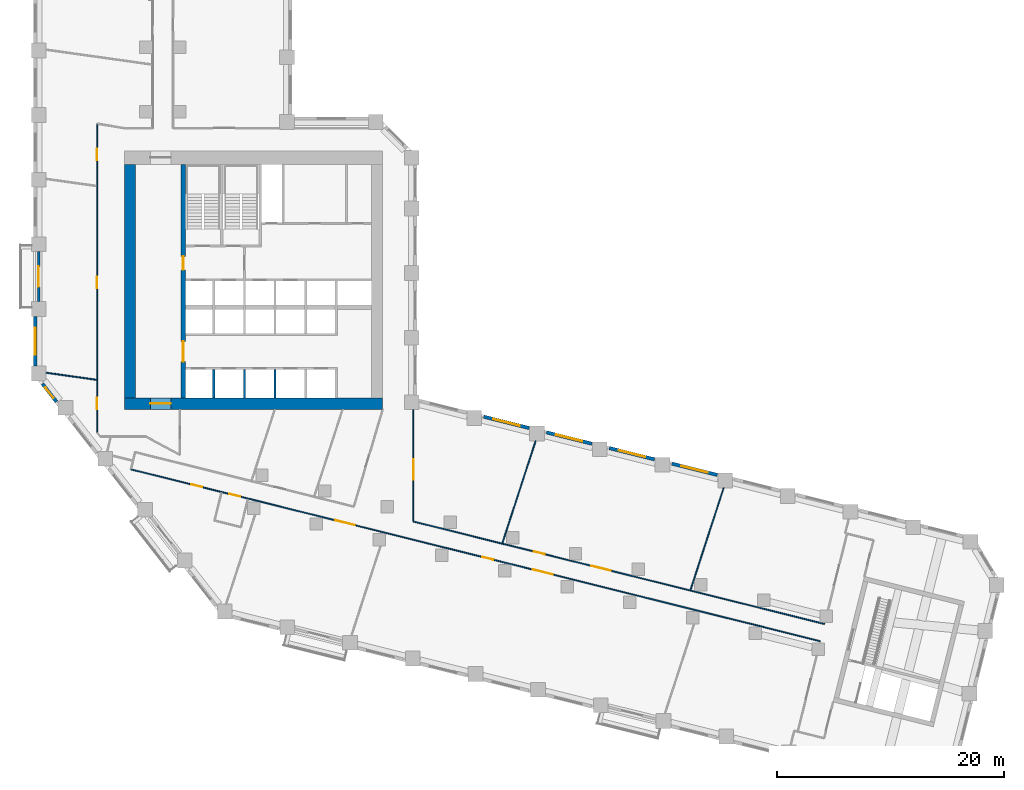
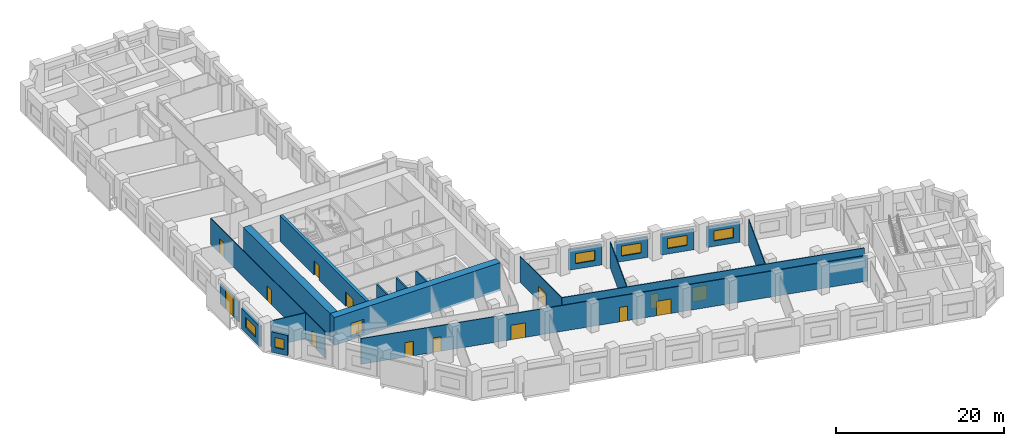
# One storey, part 4 of 11: 20 walls, 15 doors, 6 windows, 21 openings.
"""IFC4 building model written with IfcOpenShell, lengths in metres."""

from ifc_helpers import new_model, si_unit, direction, frame, frame_2d, origin, place, context, subcontext, project, spatial, rectangle, extrude, material, layer, layer_set, type_object, element, fill, save


model = new_model("IFC4")

# Units and contexts
model_context = context("Model", 3, precision=1e-05, world=origin(), true_north=direction((0.0, 1.0)))
body_context = subcontext(model_context, "Body", "Model", "MODEL_VIEW")
ifc_project = project(units=[si_unit("LENGTHUNIT", "METRE"), si_unit("AREAUNIT", "SQUARE_METRE"), si_unit("VOLUMEUNIT", "CUBIC_METRE"), si_unit("PLANEANGLEUNIT", "RADIAN"), si_unit("MASSUNIT", "GRAM", prefix="KILO")], contexts=[model_context])

# Site, building, storey
site_placement = place(None, origin())
site = spatial("IfcSite", under=ifc_project, at=site_placement, CompositionType="ELEMENT")
building_placement = place(site_placement, origin())
building = spatial("IfcBuilding", under=site, at=building_placement, Name="Meshkara Civic Tower", CompositionType="ELEMENT")
storey_placement = place(building_placement, frame((0.0, 0.0, 151.800048828125)))
storey = spatial("IfcBuildingStorey", under=building, at=storey_placement, Name="L34", CompositionType="ELEMENT", Elevation=151.800048828125)

# Wall, opening, door
ifc_material_1 = material(Name="Concrete C70", Category="concrete")
ifc_layer_1 = layer(ifc_material_1, 1.0)
ifc_layer_set_1 = layer_set([ifc_layer_1], Name="Core ring wall 1000 C70")
wall_type_1 = type_object("IfcWallType", Name="Core ring wall 1000 C70", PredefinedType="SHEAR", material=ifc_layer_set_1)
wall_1_placement = place(storey_placement, frame((8.0, 14.60009765625, -0.300048828125), z_axis=(0.0, 0.0, 1.0), x_axis=(1.0, 0.0, 0.0)))
wall_1 = element("IfcWall", 1, at=wall_1_placement, inside=storey, type_object=wall_type_1, Name="L34-C001", PredefinedType="SHEAR", context=body_context, shape_type="SweptSolid", body=[
    extrude(rectangle(XDim=22.800048828125, YDim=1.0, at=frame_2d((11.39990234375, 0.0))), origin(), (0.0, 0.0, 1.0), 4.050048828125),
])
opening_1_placement = place(wall_1_placement, frame((2.300048828125, 0.0, 0.300048828125)))
opening_1 = element("IfcOpeningElement", 2, at=opening_1_placement, cuts=wall_1, Name="Opening L34-K019", PredefinedType="OPENING", context=body_context, shape_type="SweptSolid", body=[
    extrude(rectangle(XDim=1.800048828125, YDim=2.10009765625, at=frame_2d((0.89990234375, 1.050048828125))), frame((0.0, 0.510009765625, 0.0), z_axis=(0.0, -1.0, 0.0), x_axis=(1.0, 0.0, 0.0)), (0.0, 0.0, 1.0), 1.02001953125),
])
ifc_material_2 = material(Name="Fire-rated door leaf in steel frame", Category="steel")
door_type_1 = type_object("IfcDoorType", Name="Core double door 1800 EI 60", OperationType="DOUBLE_DOOR_SINGLE_SWING", PredefinedType="DOOR", material=ifc_material_2)
door_1_placement = place(opening_1_placement, origin())
door_1 = element("IfcDoor", 3, at=door_1_placement, inside=storey, type_object=door_type_1, Name="L34-K019", OperationType="DOUBLE_DOOR_SINGLE_SWING", OverallHeight=2.10009765625, OverallWidth=1.800048828125, PredefinedType="DOOR", context=body_context, shape_type="SweptSolid", body=[
    extrude(rectangle(XDim=1.800048828125, YDim=2.10009765625, at=frame_2d((0.89990234375, 1.050048828125))), frame((0.0, 0.02490234375, 0.0), z_axis=(0.0, -1.0, 0.0), x_axis=(1.0, 0.0, 0.0)), (0.0, 0.0, 1.0), 0.050048828125),
])
fill(opening_1, door_1)

# Wall
wall_2_placement = place(storey_placement, frame((8.5, 15.10009765625, -0.300048828125), z_axis=(0.0, 0.0, 1.0), x_axis=(0.0, 1.0, 0.0)))
element("IfcWall", 4, at=wall_2_placement, inside=storey, type_object=wall_type_1, Name="L34-C003", PredefinedType="SHEAR", context=body_context, shape_type="SweptSolid", body=[
    extrude(rectangle(XDim=20.599853515625, YDim=1.0, at=frame_2d((10.2998046875, 0.0))), origin(), (0.0, 0.0, 1.0), 4.050048828125),
])

# Wall, openings, doors
ifc_material_3 = material(Name="Concrete C70", Category="concrete")
ifc_layer_2 = layer(ifc_material_3, 0.39990234375)
ifc_layer_set_2 = layer_set([ifc_layer_2], Name="Core shear wall 400 C70")
wall_type_2 = type_object("IfcWallType", Name="Core shear wall 400 C70", PredefinedType="SHEAR", material=ifc_layer_set_2)
wall_3_placement = place(storey_placement, frame((13.199951171875, 15.10009765625, 0.0), z_axis=(0.0, 0.0, 1.0), x_axis=(0.0, 1.0, 0.0)))
wall_3 = element("IfcWall", 5, at=wall_3_placement, inside=storey, type_object=wall_type_2, Name="L34-C011", PredefinedType="SHEAR", context=body_context, shape_type="SweptSolid", body=[
    extrude(rectangle(XDim=20.599853515625, YDim=0.39990234375, at=frame_2d((10.2998046875, 0.0))), origin(), (0.0, 0.0, 1.0), 3.75),
])
opening_2_placement = place(wall_3_placement, frame((3.199951171875, 0.0, 0.0)))
opening_2 = element("IfcOpeningElement", 6, at=opening_2_placement, cuts=wall_3, Name="Opening L34-K015", PredefinedType="OPENING", context=body_context, shape_type="SweptSolid", body=[
    extrude(rectangle(XDim=1.800048828125, YDim=2.10009765625, at=frame_2d((0.89990234375, 1.050048828125))), frame((0.0, 0.2099609375, 0.0), z_axis=(0.0, -1.0, 0.0), x_axis=(1.0, 0.0, 0.0)), (0.0, 0.0, 1.0), 0.419921875),
])
opening_3_placement = place(wall_3_placement, frame((11.300048828125, 0.0, 0.0)))
opening_3 = element("IfcOpeningElement", 7, at=opening_3_placement, cuts=wall_3, Name="Opening L34-K016", PredefinedType="OPENING", context=body_context, shape_type="SweptSolid", body=[
    extrude(rectangle(XDim=1.199951171875, YDim=2.10009765625, at=frame_2d((0.60009765625, 1.050048828125))), frame((0.0, 0.2099609375, 0.0), z_axis=(0.0, -1.0, 0.0), x_axis=(1.0, 0.0, 0.0)), (0.0, 0.0, 1.0), 0.419921875),
])
door_2_placement = place(opening_2_placement, origin())
door_2 = element("IfcDoor", 8, at=door_2_placement, inside=storey, type_object=door_type_1, Name="L34-K015", OperationType="DOUBLE_DOOR_SINGLE_SWING", OverallHeight=2.10009765625, OverallWidth=1.800048828125, PredefinedType="DOOR", context=body_context, shape_type="SweptSolid", body=[
    extrude(rectangle(XDim=1.800048828125, YDim=2.10009765625, at=frame_2d((0.89990234375, 1.050048828125))), frame((0.0, 0.02490234375, 0.0), z_axis=(0.0, -1.0, 0.0), x_axis=(1.0, 0.0, 0.0)), (0.0, 0.0, 1.0), 0.050048828125),
])
fill(opening_2, door_2)
ifc_material_4 = material(Name="Fire-rated door leaf in steel frame", Category="steel")
door_type_2 = type_object("IfcDoorType", Name="Fire-fighting lobby door 1200 EI 120", OperationType="SINGLE_SWING_LEFT", PredefinedType="DOOR", material=ifc_material_4)
door_3_placement = place(opening_3_placement, origin())
door_3 = element("IfcDoor", 9, at=door_3_placement, inside=storey, type_object=door_type_2, Name="L34-K016", OperationType="SINGLE_SWING_LEFT", OverallHeight=2.10009765625, OverallWidth=1.199951171875, PredefinedType="DOOR", context=body_context, shape_type="SweptSolid", body=[
    extrude(rectangle(XDim=1.199951171875, YDim=2.10009765625, at=frame_2d((0.60009765625, 1.050048828125))), frame((0.0, 0.02490234375, 0.0), z_axis=(0.0, -1.0, 0.0), x_axis=(1.0, 0.0, 0.0)), (0.0, 0.0, 1.0), 0.050048828125),
])
fill(opening_3, door_3)

ifc_material_5 = material(Name="Corridor wall 100")
ifc_layer_3 = layer(ifc_material_5, 0.10009765625)
ifc_layer_set_3 = layer_set([ifc_layer_3], Name="Corridor wall 100")
wall_type_3 = type_object("IfcWallType", Name="Corridor wall 100", PredefinedType="PARTITIONING", material=ifc_layer_set_3)
wall_4_placement = place(storey_placement, frame((5.60009765625, 12.0439453125, 0.0), z_axis=(0.0, 0.0, 1.0), x_axis=(0.0, 1.0, 0.0)))
wall_4 = element("IfcWall", 10, at=wall_4_placement, inside=storey, type_object=wall_type_3, Name="L34-W003", PredefinedType="PARTITIONING", context=body_context, shape_type="SweptSolid", body=[
    extrude(rectangle(XDim=27.256103515625, YDim=0.10009765625, at=frame_2d((13.6279296875, 0.0))), origin(), (0.0, 0.0, 1.0), 3.75),
])
opening_4_placement = place(wall_4_placement, frame((2.080078125, 0.0, 0.0)))
opening_4 = element("IfcOpeningElement", 11, at=opening_4_placement, cuts=wall_4, Name="Opening L34-D015", PredefinedType="OPENING", context=body_context, shape_type="SweptSolid", body=[
    extrude(rectangle(XDim=1.0, YDim=2.10009765625, at=frame_2d((0.5, 1.050048828125))), frame((0.0, 0.06005859375, 0.0), z_axis=(0.0, -1.0, 0.0), x_axis=(1.0, 0.0, 0.0)), (0.0, 0.0, 1.0), 0.1201171875),
])
opening_5_placement = place(wall_4_placement, frame((12.72900390625, 0.0, 0.0)))
opening_5 = element("IfcOpeningElement", 12, at=opening_5_placement, cuts=wall_4, Name="Opening L34-D017", PredefinedType="OPENING", context=body_context, shape_type="SweptSolid", body=[
    extrude(rectangle(XDim=1.0, YDim=2.10009765625, at=frame_2d((0.5, 1.050048828125))), frame((0.0, 0.06005859375, 0.0), z_axis=(0.0, -1.0, 0.0), x_axis=(1.0, 0.0, 0.0)), (0.0, 0.0, 1.0), 0.1201171875),
])
opening_6_placement = place(wall_4_placement, frame((24.029052734375, 0.0, 0.0)))
opening_6 = element("IfcOpeningElement", 13, at=opening_6_placement, cuts=wall_4, Name="Opening L34-D018", PredefinedType="OPENING", context=body_context, shape_type="SweptSolid", body=[
    extrude(rectangle(XDim=1.0, YDim=2.10009765625, at=frame_2d((0.5, 1.050048828125))), frame((0.0, 0.06005859375, 0.0), z_axis=(0.0, -1.0, 0.0), x_axis=(1.0, 0.0, 0.0)), (0.0, 0.0, 1.0), 0.1201171875),
])
ifc_material_6 = material(Name="Door 1000 x 2100")
door_type_3 = type_object("IfcDoorType", Name="Door 1000 x 2100", OperationType="SINGLE_SWING_LEFT", PredefinedType="DOOR", material=ifc_material_6)
door_4_placement = place(opening_4_placement, origin())
door_4 = element("IfcDoor", 14, at=door_4_placement, inside=storey, type_object=door_type_3, Name="L34-D015", OperationType="SINGLE_SWING_RIGHT", OverallHeight=2.10009765625, OverallWidth=1.0, PredefinedType="DOOR", context=body_context, shape_type="SweptSolid", body=[
    extrude(rectangle(XDim=1.0, YDim=2.10009765625, at=frame_2d((0.5, 1.050048828125))), frame((0.0, 0.02490234375, 0.0), z_axis=(0.0, -1.0, 0.0), x_axis=(1.0, 0.0, 0.0)), (0.0, 0.0, 1.0), 0.050048828125),
])
fill(opening_4, door_4)
door_5_placement = place(opening_5_placement, origin())
door_5 = element("IfcDoor", 15, at=door_5_placement, inside=storey, type_object=door_type_3, Name="L34-D017", OperationType="SINGLE_SWING_RIGHT", OverallHeight=2.10009765625, OverallWidth=1.0, PredefinedType="DOOR", context=body_context, shape_type="SweptSolid", body=[
    extrude(rectangle(XDim=1.0, YDim=2.10009765625, at=frame_2d((0.5, 1.050048828125))), frame((0.0, 0.02490234375, 0.0), z_axis=(0.0, -1.0, 0.0), x_axis=(1.0, 0.0, 0.0)), (0.0, 0.0, 1.0), 0.050048828125),
])
fill(opening_5, door_5)
door_6_placement = place(opening_6_placement, origin())
door_6 = element("IfcDoor", 16, at=door_6_placement, inside=storey, type_object=door_type_3, Name="L34-D018", OperationType="SINGLE_SWING_RIGHT", OverallHeight=2.10009765625, OverallWidth=1.0, PredefinedType="DOOR", context=body_context, shape_type="SweptSolid", body=[
    extrude(rectangle(XDim=1.0, YDim=2.10009765625, at=frame_2d((0.5, 1.050048828125))), frame((0.0, 0.02490234375, 0.0), z_axis=(0.0, -1.0, 0.0), x_axis=(1.0, 0.0, 0.0)), (0.0, 0.0, 1.0), 0.050048828125),
])
fill(opening_6, door_6)

wall_5_placement = place(storey_placement, frame((8.5791015625, 8.802978515625, 0.0), z_axis=(0.0, 0.0, 1.0), x_axis=(0.970298569476, -0.241910491863, 0.0)))
wall_5 = element("IfcWall", 17, at=wall_5_placement, inside=storey, type_object=wall_type_3, Name="L34-W008", PredefinedType="PARTITIONING", context=body_context, shape_type="SweptSolid", body=[
    extrude(rectangle(XDim=62.675537109375, YDim=0.10009765625, at=frame_2d((31.337890625, 0.0))), origin(), (0.0, 0.0, 1.0), 3.75),
])
opening_7_placement = place(wall_5_placement, frame((36.56591796875, 0.0, 0.0)))
opening_7 = element("IfcOpeningElement", 18, at=opening_7_placement, cuts=wall_5, Name="Opening L34-D003", PredefinedType="OPENING", context=body_context, shape_type="SweptSolid", body=[
    extrude(rectangle(XDim=1.800048828125, YDim=2.10009765625, at=frame_2d((0.89990234375, 1.050048828125))), frame((0.0, 0.06005859375, 0.0), z_axis=(0.0, -1.0, 0.0), x_axis=(1.0, 0.0, 0.0)), (0.0, 0.0, 1.0), 0.1201171875),
])
opening_8_placement = place(wall_5_placement, frame((18.56689453125, 0.0, 0.0)))
opening_8 = element("IfcOpeningElement", 19, at=opening_8_placement, cuts=wall_5, Name="Opening L34-D005", PredefinedType="OPENING", context=body_context, shape_type="SweptSolid", body=[
    extrude(rectangle(XDim=1.800048828125, YDim=2.10009765625, at=frame_2d((0.89990234375, 1.050048828125))), frame((0.0, 0.06005859375, 0.0), z_axis=(0.0, -1.0, 0.0), x_axis=(1.0, 0.0, 0.0)), (0.0, 0.0, 1.0), 0.1201171875),
])
opening_9_placement = place(wall_5_placement, frame((31.966064453125, 0.0, 0.0)))
opening_9 = element("IfcOpeningElement", 20, at=opening_9_placement, cuts=wall_5, Name="Opening L34-D006", PredefinedType="OPENING", context=body_context, shape_type="SweptSolid", body=[
    extrude(rectangle(XDim=1.0, YDim=2.10009765625, at=frame_2d((0.5, 1.050048828125))), frame((0.0, 0.06005859375, 0.0), z_axis=(0.0, -1.0, 0.0), x_axis=(1.0, 0.0, 0.0)), (0.0, 0.0, 1.0), 0.1201171875),
])
opening_10_placement = place(wall_5_placement, frame((5.47998046875, 0.0, 0.0)))
opening_10 = element("IfcOpeningElement", 21, at=opening_10_placement, cuts=wall_5, Name="Opening L34-D010", PredefinedType="OPENING", context=body_context, shape_type="SweptSolid", body=[
    extrude(rectangle(XDim=1.0, YDim=2.10009765625, at=frame_2d((0.5, 1.050048828125))), frame((0.0, 0.06005859375, 0.0), z_axis=(0.0, -1.0, 0.0), x_axis=(1.0, 0.0, 0.0)), (0.0, 0.0, 1.0), 0.1201171875),
])
opening_11_placement = place(wall_5_placement, frame((8.929931640625, 0.0, 0.0)))
opening_11 = element("IfcOpeningElement", 22, at=opening_11_placement, cuts=wall_5, Name="Opening L34-D011", PredefinedType="OPENING", context=body_context, shape_type="SweptSolid", body=[
    extrude(rectangle(XDim=1.0, YDim=2.10009765625, at=frame_2d((0.5, 1.050048828125))), frame((0.0, 0.06005859375, 0.0), z_axis=(0.0, -1.0, 0.0), x_axis=(1.0, 0.0, 0.0)), (0.0, 0.0, 1.0), 0.1201171875),
])
door_7_placement = place(opening_9_placement, origin())
door_7 = element("IfcDoor", 23, at=door_7_placement, inside=storey, type_object=door_type_3, Name="L34-D006", OperationType="SINGLE_SWING_RIGHT", OverallHeight=2.10009765625, OverallWidth=1.0, PredefinedType="DOOR", context=body_context, shape_type="SweptSolid", body=[
    extrude(rectangle(XDim=1.0, YDim=2.10009765625, at=frame_2d((0.5, 1.050048828125))), frame((0.0, 0.02490234375, 0.0), z_axis=(0.0, -1.0, 0.0), x_axis=(1.0, 0.0, 0.0)), (0.0, 0.0, 1.0), 0.050048828125),
])
fill(opening_9, door_7)
door_8_placement = place(opening_10_placement, origin())
door_8 = element("IfcDoor", 24, at=door_8_placement, inside=storey, type_object=door_type_3, Name="L34-D010", OperationType="SINGLE_SWING_LEFT", OverallHeight=2.10009765625, OverallWidth=1.0, PredefinedType="DOOR", context=body_context, shape_type="SweptSolid", body=[
    extrude(rectangle(XDim=1.0, YDim=2.10009765625, at=frame_2d((0.5, 1.050048828125))), frame((0.0, 0.02490234375, 0.0), z_axis=(0.0, -1.0, 0.0), x_axis=(1.0, 0.0, 0.0)), (0.0, 0.0, 1.0), 0.050048828125),
])
fill(opening_10, door_8)
door_9_placement = place(opening_11_placement, origin())
door_9 = element("IfcDoor", 25, at=door_9_placement, inside=storey, type_object=door_type_3, Name="L34-D011", OperationType="SINGLE_SWING_RIGHT", OverallHeight=2.10009765625, OverallWidth=1.0, PredefinedType="DOOR", context=body_context, shape_type="SweptSolid", body=[
    extrude(rectangle(XDim=1.0, YDim=2.10009765625, at=frame_2d((0.5, 1.050048828125))), frame((0.0, 0.02490234375, 0.0), z_axis=(0.0, -1.0, 0.0), x_axis=(1.0, 0.0, 0.0)), (0.0, 0.0, 1.0), 0.050048828125),
])
fill(opening_11, door_9)
ifc_material_7 = material(Name="Door pair 1800 x 2100")
door_type_4 = type_object("IfcDoorType", Name="Door pair 1800 x 2100", OperationType="SINGLE_SWING_LEFT", PredefinedType="DOOR", material=ifc_material_7)
door_10_placement = place(opening_7_placement, origin())
door_10 = element("IfcDoor", 26, at=door_10_placement, inside=storey, type_object=door_type_4, Name="L34-D003", OperationType="DOUBLE_DOOR_SINGLE_SWING", OverallHeight=2.10009765625, OverallWidth=1.800048828125, PredefinedType="DOOR", context=body_context, shape_type="SweptSolid", body=[
    extrude(rectangle(XDim=1.800048828125, YDim=2.10009765625, at=frame_2d((0.89990234375, 1.050048828125))), frame((0.0, 0.02490234375, 0.0), z_axis=(0.0, -1.0, 0.0), x_axis=(1.0, 0.0, 0.0)), (0.0, 0.0, 1.0), 0.050048828125),
])
fill(opening_7, door_10)
door_11_placement = place(opening_8_placement, origin())
door_11 = element("IfcDoor", 27, at=door_11_placement, inside=storey, type_object=door_type_4, Name="L34-D005", OperationType="DOUBLE_DOOR_SINGLE_SWING", OverallHeight=2.10009765625, OverallWidth=1.800048828125, PredefinedType="DOOR", context=body_context, shape_type="SweptSolid", body=[
    extrude(rectangle(XDim=1.800048828125, YDim=2.10009765625, at=frame_2d((0.89990234375, 1.050048828125))), frame((0.0, 0.02490234375, 0.0), z_axis=(0.0, -1.0, 0.0), x_axis=(1.0, 0.0, 0.0)), (0.0, 0.0, 1.0), 0.050048828125),
])
fill(opening_8, door_11)

wall_6_placement = place(storey_placement, frame((33.5, 4.2041015625, 0.0), z_axis=(0.0, 0.0, 1.0), x_axis=(0.97029674434, -0.241917812333, 0.0)))
wall_6 = element("IfcWall", 28, at=wall_6_placement, inside=storey, type_object=wall_type_3, Name="L34-W022", PredefinedType="PARTITIONING", context=body_context, shape_type="SweptSolid", body=[
    extrude(rectangle(XDim=37.38134765625, YDim=0.10009765625, at=frame_2d((18.690673828125, 0.0))), origin(), (0.0, 0.0, 1.0), 3.75),
])
opening_12_placement = place(wall_6_placement, frame((10.9609375, 0.0, 0.0)))
opening_12 = element("IfcOpeningElement", 29, at=opening_12_placement, cuts=wall_6, Name="Opening L34-D007", PredefinedType="OPENING", context=body_context, shape_type="SweptSolid", body=[
    extrude(rectangle(XDim=1.0, YDim=2.10009765625, at=frame_2d((0.5, 1.050048828125))), frame((0.0, 0.06005859375, 0.0), z_axis=(0.0, -1.0, 0.0), x_axis=(1.0, 0.0, 0.0)), (0.0, 0.0, 1.0), 0.1201171875),
])
opening_13_placement = place(wall_6_placement, frame((16.160888671875, 0.0, 0.0)))
opening_13 = element("IfcOpeningElement", 30, at=opening_13_placement, cuts=wall_6, Name="Opening L34-D008", PredefinedType="OPENING", context=body_context, shape_type="SweptSolid", body=[
    extrude(rectangle(XDim=1.800048828125, YDim=2.10009765625, at=frame_2d((0.89990234375, 1.050048828125))), frame((0.0, 0.06005859375, 0.0), z_axis=(0.0, -1.0, 0.0), x_axis=(1.0, 0.0, 0.0)), (0.0, 0.0, 1.0), 0.1201171875),
])
door_12_placement = place(opening_12_placement, origin())
door_12 = element("IfcDoor", 31, at=door_12_placement, inside=storey, type_object=door_type_3, Name="L34-D007", OperationType="SINGLE_SWING_LEFT", OverallHeight=2.10009765625, OverallWidth=1.0, PredefinedType="DOOR", context=body_context, shape_type="SweptSolid", body=[
    extrude(rectangle(XDim=1.0, YDim=2.10009765625, at=frame_2d((0.5, 1.050048828125))), frame((0.0, 0.02490234375, 0.0), z_axis=(0.0, -1.0, 0.0), x_axis=(1.0, 0.0, 0.0)), (0.0, 0.0, 1.0), 0.050048828125),
])
fill(opening_12, door_12)
door_13_placement = place(opening_13_placement, origin())
door_13 = element("IfcDoor", 32, at=door_13_placement, inside=storey, type_object=door_type_4, Name="L34-D008", OperationType="DOUBLE_DOOR_SINGLE_SWING", OverallHeight=2.10009765625, OverallWidth=1.800048828125, PredefinedType="DOOR", context=body_context, shape_type="SweptSolid", body=[
    extrude(rectangle(XDim=1.800048828125, YDim=2.10009765625, at=frame_2d((0.89990234375, 1.050048828125))), frame((0.0, 0.02490234375, 0.0), z_axis=(0.0, -1.0, 0.0), x_axis=(1.0, 0.0, 0.0)), (0.0, 0.0, 1.0), 0.050048828125),
])
fill(opening_13, door_13)

# Wall, opening, door
wall_7_placement = place(storey_placement, frame((33.5, 4.2041015625, 0.0), z_axis=(0.0, 0.0, 1.0), x_axis=(0.0, 1.0, 0.0)))
wall_7 = element("IfcWall", 33, at=wall_7_placement, inside=storey, type_object=wall_type_3, Name="L34-W023", PredefinedType="PARTITIONING", context=body_context, shape_type="SweptSolid", body=[
    extrude(rectangle(XDim=9.864990234375, YDim=0.10009765625, at=frame_2d((4.9326171875, 0.0))), origin(), (0.0, 0.0, 1.0), 3.75),
])
opening_14_placement = place(wall_7_placement, frame((3.679931640625, 0.0, 0.0)))
opening_14 = element("IfcOpeningElement", 34, at=opening_14_placement, cuts=wall_7, Name="Opening L34-D014", PredefinedType="OPENING", context=body_context, shape_type="SweptSolid", body=[
    extrude(rectangle(XDim=1.800048828125, YDim=2.10009765625, at=frame_2d((0.89990234375, 1.050048828125))), frame((0.0, 0.06005859375, 0.0), z_axis=(0.0, -1.0, 0.0), x_axis=(1.0, 0.0, 0.0)), (0.0, 0.0, 1.0), 0.1201171875),
])
door_14_placement = place(opening_14_placement, origin())
door_14 = element("IfcDoor", 35, at=door_14_placement, inside=storey, type_object=door_type_4, Name="L34-D014", OperationType="DOUBLE_DOOR_SINGLE_SWING", OverallHeight=2.10009765625, OverallWidth=1.800048828125, PredefinedType="DOOR", context=body_context, shape_type="SweptSolid", body=[
    extrude(rectangle(XDim=1.800048828125, YDim=2.10009765625, at=frame_2d((0.89990234375, 1.050048828125))), frame((0.0, 0.02490234375, 0.0), z_axis=(0.0, -1.0, 0.0), x_axis=(1.0, 0.0, 0.0)), (0.0, 0.0, 1.0), 0.050048828125),
])
fill(opening_14, door_14)

# Wall, opening, window
ifc_material_8 = material(Name="Insulated infill panel with bronze anodised aluminium cladding", Category="aluminium")
ifc_layer_4 = layer(ifc_material_8, 0.300048828125)
ifc_layer_set_4 = layer_set([ifc_layer_4], Name="EXTERNAL INFILL WALL 300")
wall_type_4 = type_object("IfcWallType", Name="EXTERNAL INFILL WALL 300", PredefinedType="SOLIDWALL", material=ifc_layer_set_4)
wall_8_placement = place(storey_placement, frame((60.31103515625, 8.305908203125, 0.0), z_axis=(0.0, 0.0, 1.0), x_axis=(-0.970267747908, 0.242034083076, 0.0)))
wall_8 = element("IfcWall", 36, at=wall_8_placement, inside=storey, type_object=wall_type_4, Name="External wall", PredefinedType="SOLIDWALL", context=body_context, shape_type="SweptSolid", body=[
    extrude(rectangle(XDim=4.12353515625, YDim=0.300048828125, at=frame_2d((2.061767578125, 0.0))), origin(), (0.0, 0.0, 1.0), 2.949951171875),
])
opening_15_placement = place(wall_8_placement, frame((0.862060546875, 0.0, 0.800048828125)))
opening_15 = element("IfcOpeningElement", 37, at=opening_15_placement, cuts=wall_8, Name="Opening W8", PredefinedType="OPENING", context=body_context, shape_type="SweptSolid", body=[
    extrude(rectangle(XDim=2.39990234375, YDim=1.449951171875, at=frame_2d((1.199951171875, 0.72509765625))), frame((0.0, 0.159912109375, 0.0), z_axis=(0.0, -1.0, 0.0), x_axis=(1.0, 0.0, 0.0)), (0.0, 0.0, 1.0), 0.320068359375),
])
ifc_material_9 = material(Name="Tinted double glazing", Category="glass")
window_type_1 = type_object("IfcWindowType", Name="WINDOW 2400x1450", PartitioningType="DOUBLE_PANEL_VERTICAL", PredefinedType="WINDOW", material=ifc_material_9)
window_1_placement = place(opening_15_placement, origin())
window_1 = element("IfcWindow", 38, at=window_1_placement, inside=storey, type_object=window_type_1, Name="Window", OverallHeight=1.449951171875, OverallWidth=2.39990234375, PartitioningType="DOUBLE_PANEL_VERTICAL", PredefinedType="WINDOW", context=body_context, shape_type="SweptSolid", body=[
    extrude(rectangle(XDim=2.39990234375, YDim=1.449951171875, at=frame_2d((1.199951171875, 0.72509765625))), frame((0.0, 0.030029296875, 0.0), z_axis=(0.0, -1.0, 0.0), x_axis=(1.0, 0.0, 0.0)), (0.0, 0.0, 1.0), 0.06005859375),
])
fill(opening_15, window_1)

wall_9_placement = place(storey_placement, frame((54.781005859375, 9.68505859375, 0.0), z_axis=(0.0, 0.0, 1.0), x_axis=(-0.970281616392, 0.241978480223, 0.0)))
wall_9 = element("IfcWall", 39, at=wall_9_placement, inside=storey, type_object=wall_type_4, Name="External wall", PredefinedType="SOLIDWALL", context=body_context, shape_type="SweptSolid", body=[
    extrude(rectangle(XDim=4.12451171875, YDim=0.300048828125, at=frame_2d((2.062255859375, 0.0))), origin(), (0.0, 0.0, 1.0), 2.949951171875),
])
opening_16_placement = place(wall_9_placement, frame((0.862060546875, 0.0, 0.800048828125)))
opening_16 = element("IfcOpeningElement", 40, at=opening_16_placement, cuts=wall_9, Name="Opening W8", PredefinedType="OPENING", context=body_context, shape_type="SweptSolid", body=[
    extrude(rectangle(XDim=2.39990234375, YDim=1.449951171875, at=frame_2d((1.199951171875, 0.72509765625))), frame((0.0, 0.159912109375, 0.0), z_axis=(0.0, -1.0, 0.0), x_axis=(1.0, 0.0, 0.0)), (0.0, 0.0, 1.0), 0.320068359375),
])
window_2_placement = place(opening_16_placement, origin())
window_2 = element("IfcWindow", 41, at=window_2_placement, inside=storey, type_object=window_type_1, Name="Window", OverallHeight=1.449951171875, OverallWidth=2.39990234375, PartitioningType="DOUBLE_PANEL_VERTICAL", PredefinedType="WINDOW", context=body_context, shape_type="SweptSolid", body=[
    extrude(rectangle(XDim=2.39990234375, YDim=1.449951171875, at=frame_2d((1.199951171875, 0.72509765625))), frame((0.0, 0.030029296875, 0.0), z_axis=(0.0, -1.0, 0.0), x_axis=(1.0, 0.0, 0.0)), (0.0, 0.0, 1.0), 0.06005859375),
])
fill(opening_16, window_2)

wall_10_placement = place(storey_placement, frame((49.25, 11.06396484375, 0.0), z_axis=(0.0, 0.0, 1.0), x_axis=(-0.970281616392, 0.241978480223, 0.0)))
wall_10 = element("IfcWall", 42, at=wall_10_placement, inside=storey, type_object=wall_type_4, Name="External wall", PredefinedType="SOLIDWALL", context=body_context, shape_type="SweptSolid", body=[
    extrude(rectangle(XDim=4.12451171875, YDim=0.300048828125, at=frame_2d((2.062255859375, 0.0))), origin(), (0.0, 0.0, 1.0), 2.949951171875),
])
opening_17_placement = place(wall_10_placement, frame((0.862060546875, 0.0, 0.800048828125)))
opening_17 = element("IfcOpeningElement", 43, at=opening_17_placement, cuts=wall_10, Name="Opening W8", PredefinedType="OPENING", context=body_context, shape_type="SweptSolid", body=[
    extrude(rectangle(XDim=2.39990234375, YDim=1.449951171875, at=frame_2d((1.199951171875, 0.72509765625))), frame((0.0, 0.159912109375, 0.0), z_axis=(0.0, -1.0, 0.0), x_axis=(1.0, 0.0, 0.0)), (0.0, 0.0, 1.0), 0.320068359375),
])
window_3_placement = place(opening_17_placement, origin())
window_3 = element("IfcWindow", 44, at=window_3_placement, inside=storey, type_object=window_type_1, Name="Window", OverallHeight=1.449951171875, OverallWidth=2.39990234375, PartitioningType="DOUBLE_PANEL_VERTICAL", PredefinedType="WINDOW", context=body_context, shape_type="SweptSolid", body=[
    extrude(rectangle(XDim=2.39990234375, YDim=1.449951171875, at=frame_2d((1.199951171875, 0.72509765625))), frame((0.0, 0.030029296875, 0.0), z_axis=(0.0, -1.0, 0.0), x_axis=(1.0, 0.0, 0.0)), (0.0, 0.0, 1.0), 0.06005859375),
])
fill(opening_17, window_3)

wall_11_placement = place(storey_placement, frame((43.718994140625, 12.443115234375, 0.0), z_axis=(0.0, 0.0, 1.0), x_axis=(-0.970281650314, 0.241978344205, 0.0)))
wall_11 = element("IfcWall", 45, at=wall_11_placement, inside=storey, type_object=wall_type_4, Name="External wall", PredefinedType="SOLIDWALL", context=body_context, shape_type="SweptSolid", body=[
    extrude(rectangle(XDim=4.12353515625, YDim=0.300048828125, at=frame_2d((2.061767578125, 0.0))), origin(), (0.0, 0.0, 1.0), 2.949951171875),
])
opening_18_placement = place(wall_11_placement, frame((0.862060546875, 0.0, 0.800048828125)))
opening_18 = element("IfcOpeningElement", 46, at=opening_18_placement, cuts=wall_11, Name="Opening W8", PredefinedType="OPENING", context=body_context, shape_type="SweptSolid", body=[
    extrude(rectangle(XDim=2.39990234375, YDim=1.449951171875, at=frame_2d((1.199951171875, 0.72509765625))), frame((0.0, 0.159912109375, 0.0), z_axis=(0.0, -1.0, 0.0), x_axis=(1.0, 0.0, 0.0)), (0.0, 0.0, 1.0), 0.320068359375),
])
window_4_placement = place(opening_18_placement, origin())
window_4 = element("IfcWindow", 47, at=window_4_placement, inside=storey, type_object=window_type_1, Name="Window", OverallHeight=1.449951171875, OverallWidth=2.39990234375, PartitioningType="DOUBLE_PANEL_VERTICAL", PredefinedType="WINDOW", context=body_context, shape_type="SweptSolid", body=[
    extrude(rectangle(XDim=2.39990234375, YDim=1.449951171875, at=frame_2d((1.199951171875, 0.72509765625))), frame((0.0, 0.030029296875, 0.0), z_axis=(0.0, -1.0, 0.0), x_axis=(1.0, 0.0, 0.0)), (0.0, 0.0, 1.0), 0.06005859375),
])
fill(opening_18, window_4)

wall_12_placement = place(storey_placement, frame((0.14990234375, 22.304931640625, 0.0), z_axis=(0.0, 0.0, 1.0), x_axis=(0.0, -1.0, 0.0)))
wall_12 = element("IfcWall", 48, at=wall_12_placement, inside=storey, type_object=wall_type_4, Name="External wall", PredefinedType="SOLIDWALL", context=body_context, shape_type="SweptSolid", body=[
    extrude(rectangle(XDim=4.39990234375, YDim=0.300048828125, at=frame_2d((2.199951171875, 0.0))), origin(), (0.0, 0.0, 1.0), 2.949951171875),
])
opening_19_placement = place(wall_12_placement, frame((1.0, 0.0, 0.800048828125)))
opening_19 = element("IfcOpeningElement", 49, at=opening_19_placement, cuts=wall_12, Name="Opening W8", PredefinedType="OPENING", context=body_context, shape_type="SweptSolid", body=[
    extrude(rectangle(XDim=2.39990234375, YDim=1.449951171875, at=frame_2d((1.199951171875, 0.72509765625))), frame((0.0, 0.159912109375, 0.0), z_axis=(0.0, -1.0, 0.0), x_axis=(1.0, 0.0, 0.0)), (0.0, 0.0, 1.0), 0.320068359375),
])
window_5_placement = place(opening_19_placement, origin())
window_5 = element("IfcWindow", 50, at=window_5_placement, inside=storey, type_object=window_type_1, Name="Window", OverallHeight=1.449951171875, OverallWidth=2.39990234375, PartitioningType="DOUBLE_PANEL_VERTICAL", PredefinedType="WINDOW", context=body_context, shape_type="SweptSolid", body=[
    extrude(rectangle(XDim=2.39990234375, YDim=1.449951171875, at=frame_2d((1.199951171875, 0.72509765625))), frame((0.0, 0.030029296875, 0.0), z_axis=(0.0, -1.0, 0.0), x_axis=(1.0, 0.0, 0.0)), (0.0, 0.0, 1.0), 0.06005859375),
])
fill(opening_19, window_5)

wall_13_placement = place(storey_placement, frame((0.77490234375, 16.35107421875, 0.0), z_axis=(0.0, 0.0, 1.0), x_axis=(0.6157921118, -0.787908671766, 0.0)))
wall_13 = element("IfcWall", 51, at=wall_13_placement, inside=storey, type_object=wall_type_4, Name="External wall", PredefinedType="SOLIDWALL", context=body_context, shape_type="SweptSolid", body=[
    extrude(rectangle(XDim=2.015625, YDim=0.300048828125, at=frame_2d((1.0078125, 0.0))), origin(), (0.0, 0.0, 1.0), 2.949951171875),
])
opening_20_placement = place(wall_13_placement, frame((0.407958984375, 0.0, 0.800048828125)))
opening_20 = element("IfcOpeningElement", 52, at=opening_20_placement, cuts=wall_13, Name="Opening W4", PredefinedType="OPENING", context=body_context, shape_type="SweptSolid", body=[
    extrude(rectangle(XDim=1.199951171875, YDim=1.449951171875, at=frame_2d((0.60009765625, 0.72509765625))), frame((0.0, 0.159912109375, 0.0), z_axis=(0.0, -1.0, 0.0), x_axis=(1.0, 0.0, 0.0)), (0.0, 0.0, 1.0), 0.320068359375),
])
ifc_material_10 = material(Name="Tinted double glazing", Category="glass")
window_type_2 = type_object("IfcWindowType", Name="WINDOW 1200x1450", PartitioningType="SINGLE_PANEL", PredefinedType="WINDOW", material=ifc_material_10)
window_6_placement = place(opening_20_placement, origin())
window_6 = element("IfcWindow", 53, at=window_6_placement, inside=storey, type_object=window_type_2, Name="Window", OverallHeight=1.449951171875, OverallWidth=1.199951171875, PartitioningType="SINGLE_PANEL", PredefinedType="WINDOW", context=body_context, shape_type="SweptSolid", body=[
    extrude(rectangle(XDim=1.199951171875, YDim=1.449951171875, at=frame_2d((0.60009765625, 0.72509765625))), frame((0.0, 0.030029296875, 0.0), z_axis=(0.0, -1.0, 0.0), x_axis=(1.0, 0.0, 0.0)), (0.0, 0.0, 1.0), 0.06005859375),
])
fill(opening_20, window_6)

# Wall, opening, door
ifc_material_11 = material(Name="Insulated infill panel with bronze anodised aluminium cladding", Category="aluminium")
ifc_layer_5 = layer(ifc_material_11, 0.199951171875)
ifc_layer_set_5 = layer_set([ifc_layer_5], Name="LOGGIA BACK WALL 200")
wall_type_5 = type_object("IfcWallType", Name="LOGGIA BACK WALL 200", PredefinedType="SOLIDWALL", material=ifc_layer_set_5)
wall_14_placement = place(storey_placement, frame((0.449951171875, 28.0048828125, 0.0), z_axis=(0.0, 0.0, 1.0), x_axis=(0.0, -1.0, 0.0)))
wall_14 = element("IfcWall", 54, at=wall_14_placement, inside=storey, type_object=wall_type_5, Name="Loggia wall", PredefinedType="SOLIDWALL", context=body_context, shape_type="SweptSolid", body=[
    extrude(rectangle(XDim=4.39990234375, YDim=0.199951171875, at=frame_2d((2.199951171875, 0.0))), origin(), (0.0, 0.0, 1.0), 2.949951171875),
])
opening_21_placement = place(wall_14_placement, frame((1.300048828125, 0.0, 0.0)))
opening_21 = element("IfcOpeningElement", 55, at=opening_21_placement, cuts=wall_14, Name="Opening L34-L002", PredefinedType="OPENING", context=body_context, shape_type="SweptSolid", body=[
    extrude(rectangle(XDim=1.800048828125, YDim=2.89990234375, at=frame_2d((0.89990234375, 1.449951171875))), frame((0.0, 0.10986328125, 0.0), z_axis=(0.0, -1.0, 0.0), x_axis=(1.0, 0.0, 0.0)), (0.0, 0.0, 1.0), 0.219970703125),
])
ifc_material_12 = material(Name="Tinted double glazing", Category="glass")
door_type_5 = type_object("IfcDoorType", Name="LOGGIA DOOR 1800x2900", OperationType="DOUBLE_DOOR_SINGLE_SWING", PredefinedType="DOOR", material=ifc_material_12)
door_15_placement = place(opening_21_placement, origin())
door_15 = element("IfcDoor", 56, at=door_15_placement, inside=storey, type_object=door_type_5, Name="L34-L002", OperationType="DOUBLE_DOOR_SINGLE_SWING", OverallHeight=2.89990234375, OverallWidth=1.800048828125, PredefinedType="DOOR", context=body_context, shape_type="SweptSolid", body=[
    extrude(rectangle(XDim=1.800048828125, YDim=2.89990234375, at=frame_2d((0.89990234375, 1.449951171875))), frame((0.0, 0.02490234375, 0.0), z_axis=(0.0, -1.0, 0.0), x_axis=(1.0, 0.0, 0.0)), (0.0, 0.0, 1.0), 0.050048828125),
])
fill(opening_21, door_15)

# Walls
ifc_material_13 = material(Name="Partition 100")
ifc_layer_6 = layer(ifc_material_13, 0.10009765625)
ifc_layer_set_6 = layer_set([ifc_layer_6], Name="Partition 100")
wall_type_6 = type_object("IfcWallType", Name="Partition 100", PredefinedType="PARTITIONING", material=ifc_layer_set_6)
wall_15_placement = place(storey_placement, frame((5.54296875, 16.700927734375, 0.0), z_axis=(0.0, 0.0, 1.0), x_axis=(-0.990249777372, 0.139303188816, 0.0)))
element("IfcWall", 57, at=wall_15_placement, inside=storey, type_object=wall_type_6, Name="L34-W032", PredefinedType="PARTITIONING", context=body_context, shape_type="SweptSolid", body=[
    extrude(rectangle(XDim=4.486572265625, YDim=0.10009765625, at=frame_2d((2.2431640625, 0.0))), origin(), (0.0, 0.0, 1.0), 3.75),
])
for number, where, z_axis, x_axis, name in (
    (58, (41.35791015625, 2.300048828125, 0.0), (0.0, 0.0, 1.0), (0.308936323863, 0.951082723951, 0.0), "L34-W049"),
    (59, (57.949951171875, -1.8369140625, 0.0), (0.0, 0.0, 1.0), (0.308936323863, 0.951082723951, 0.0), "L34-W051"),
):
    element("IfcWall", number, at=place(storey_placement, frame(where, z_axis=z_axis, x_axis=x_axis)), inside=storey, type_object=wall_type_6, Name=name, PredefinedType="PARTITIONING", context=body_context, shape_type="SweptSolid", body=[
        extrude(rectangle(XDim=9.474365234375, YDim=0.10009765625, at=frame_2d((4.7373046875, 0.0))), origin(), (0.0, 0.0, 1.0), 3.75),
    ])
ifc_material_14 = material(Name="Concrete C40/50", Category="concrete")
ifc_layer_7 = layer(ifc_material_14, 0.199951171875)
ifc_layer_set_7 = layer_set([ifc_layer_7], Name="Shaft wall 200 C40/50")
wall_type_7 = type_object("IfcWallType", Name="Shaft wall 200 C40/50", PredefinedType="SOLIDWALL", material=ifc_layer_set_7)
for number, where, z_axis, x_axis, name in (
    (60, (15.89990234375, 15.10009765625, 0.0), (0.0, 0.0, 1.0), (0.0, 1.0, 0.0), "L34-C012"),
    (61, (18.60009765625, 15.10009765625, 0.0), (0.0, 0.0, 1.0), (0.0, 1.0, 0.0), "L34-C015"),
    (62, (21.300048828125, 15.10009765625, 0.0), (0.0, 0.0, 1.0), (0.0, 1.0, 0.0), "L34-C018"),
):
    element("IfcWall", number, at=place(storey_placement, frame(where, z_axis=z_axis, x_axis=x_axis)), inside=storey, type_object=wall_type_7, Name=name, PredefinedType="SOLIDWALL", context=body_context, shape_type="SweptSolid", body=[
        extrude(rectangle(XDim=2.5, YDim=0.199951171875, at=frame_2d((1.25, 0.0))), origin(), (0.0, 0.0, 1.0), 3.75),
    ])

save(model, "model.ifc")
